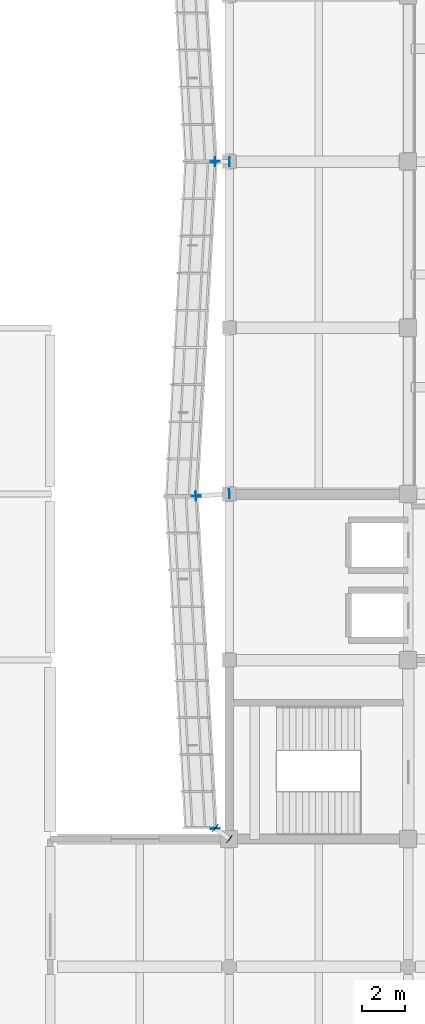
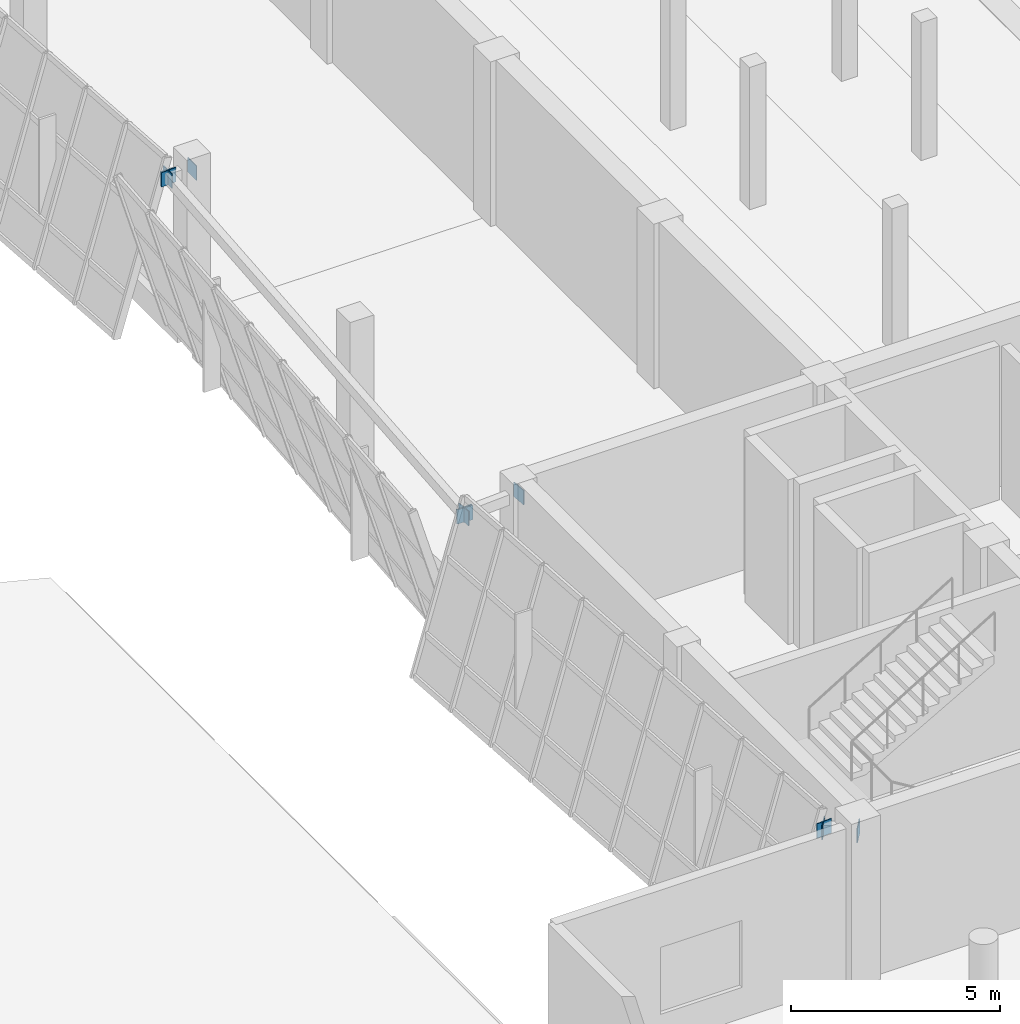
# One storey, part 60 of 79: 11 plates.
"""IFC4 building model written with IfcOpenShell, lengths in metres."""

from ifc_helpers import new_model, si_unit, direction, frame, origin, origin_2d, place, context, subcontext, project, spatial, rectangle, extrude, material, layer, layer_set, type_object, element, save


model = new_model("IFC4")

# Units and contexts
model_context = context("Model", 3, precision=1e-05, world=origin(), true_north=direction((0.0, 1.0)))
body_context = subcontext(model_context, "Body", "Model", "MODEL_VIEW")
ifc_project = project(units=[si_unit("LENGTHUNIT", "METRE"), si_unit("AREAUNIT", "SQUARE_METRE"), si_unit("VOLUMEUNIT", "CUBIC_METRE"), si_unit("PLANEANGLEUNIT", "RADIAN"), si_unit("MASSUNIT", "GRAM", prefix="KILO")], contexts=[model_context])

# Site, building, storey
site_placement = place(None, origin())
site = spatial("IfcSite", under=ifc_project, at=site_placement, CompositionType="ELEMENT")
building_placement = place(site_placement, origin())
building = spatial("IfcBuilding", under=site, at=building_placement, Name="Pellamere Symphony Hall", CompositionType="ELEMENT")
storey_placement = place(building_placement, frame((0.0, 0.0, 10.199951171875)))
storey = spatial("IfcBuildingStorey", under=building, at=storey_placement, Name="L02", CompositionType="ELEMENT", Elevation=10.199951171875)

# Plates
ifc_material = material(Name="Steel CSA G40.21 350W", Category="steel")
ifc_layer = layer(ifc_material, 0.02490234375, Name="Steel CSA G40.21 350W")
ifc_layer_set = layer_set([ifc_layer], Name="Steel CSA G40.21 350W")
plate_type = type_object("IfcPlateType", Name="Steel Connection Plate KP-01 420x420x25", PredefinedType="SHEET", material=ifc_layer_set)
for number, where, z_axis, x_axis, name in (
    (1, (49.750732421875, 61.7880859375, 4.030029296875), (0.0, 0.0, 1.0), (0.057215536424, -0.998361849427, 0.0), "Crystal Spandrel End Cap Plate CW-CR16-2 (L02)"),
    (2, (50.412109375, 61.800048828125, 4.030029296875), (0.0, 0.0, 1.0), (-1.0, 0.0, 0.0), "Outrigger End Cap Plate 101.1 (L02)"),
    (3, (49.738037109375, 61.800048828125, 4.030029296875), (0.0, 0.0, 1.0), (-1.0, 0.0, 0.0), "Outrigger End Cap Plate 101.2 (L02)"),
    (4, (49.750732421875, 61.81201171875, 4.030029296875), (0.0, 0.0, 1.0), (-0.057215536424, -0.998361849427, 0.0), "Crystal Spandrel End Cap Plate CW-CR17-1 (L02)"),
    (5, (48.849365234375, 46.087890625, 4.030029296875), (0.0, 0.0, 1.0), (-0.057215536424, -0.998361849427, 0.0), "Crystal Spandrel End Cap Plate CW-CR17-2 (L02)"),
    (6, (50.412109375, 46.20068359375, 4.030029296875), (0.0, 0.0, 1.0), (-0.997926866086, -0.064358138139, 0.0), "Outrigger End Cap Plate 111.1 (L02)"),
    (7, (48.837890625, 46.09912109375, 4.030029296875), (0.0, 0.0, 1.0), (-0.997926866086, -0.064358138139, 0.0), "Outrigger End Cap Plate 111.2 (L02)"),
    (8, (48.849365234375, 46.112060546875, 4.030029296875), (0.0, 0.0, 1.0), (0.05756402696, -0.998341816614, 0.0), "Crystal Spandrel End Cap Plate CW-CR18-1 (L02)"),
    (9, (49.750732421875, 30.488037109375, 4.030029296875), (0.0, 0.0, 1.0), (0.05756402696, -0.998341816614, 0.0), "Crystal Spandrel End Cap Plate CW-CR18-2 (L02)"),
    (10, (50.409423828125, 29.99267578125, 4.030029296875), (0.0, 0.0, 1.0), (-0.792609005996, 0.609730238396, 0.0), "Outrigger End Cap Plate 121.1 (L02)"),
    (11, (49.740478515625, 30.50732421875, 4.030029296875), (0.0, 0.0, 1.0), (-0.792609005996, 0.609730238396, 0.0), "Outrigger End Cap Plate 121.2 (L02)"),
):
    element("IfcPlate", number, at=place(storey_placement, frame(where, z_axis=z_axis, x_axis=x_axis)), inside=storey, type_object=plate_type, Name=name, PredefinedType="SHEET", context=body_context, shape_type="SweptSolid", body=[
        extrude(rectangle(XDim=0.02490234375, YDim=0.419921875, at=origin_2d()), origin(), (0.0, 0.0, 1.0), 0.419921875),
    ])

save(model, "model.ifc")
